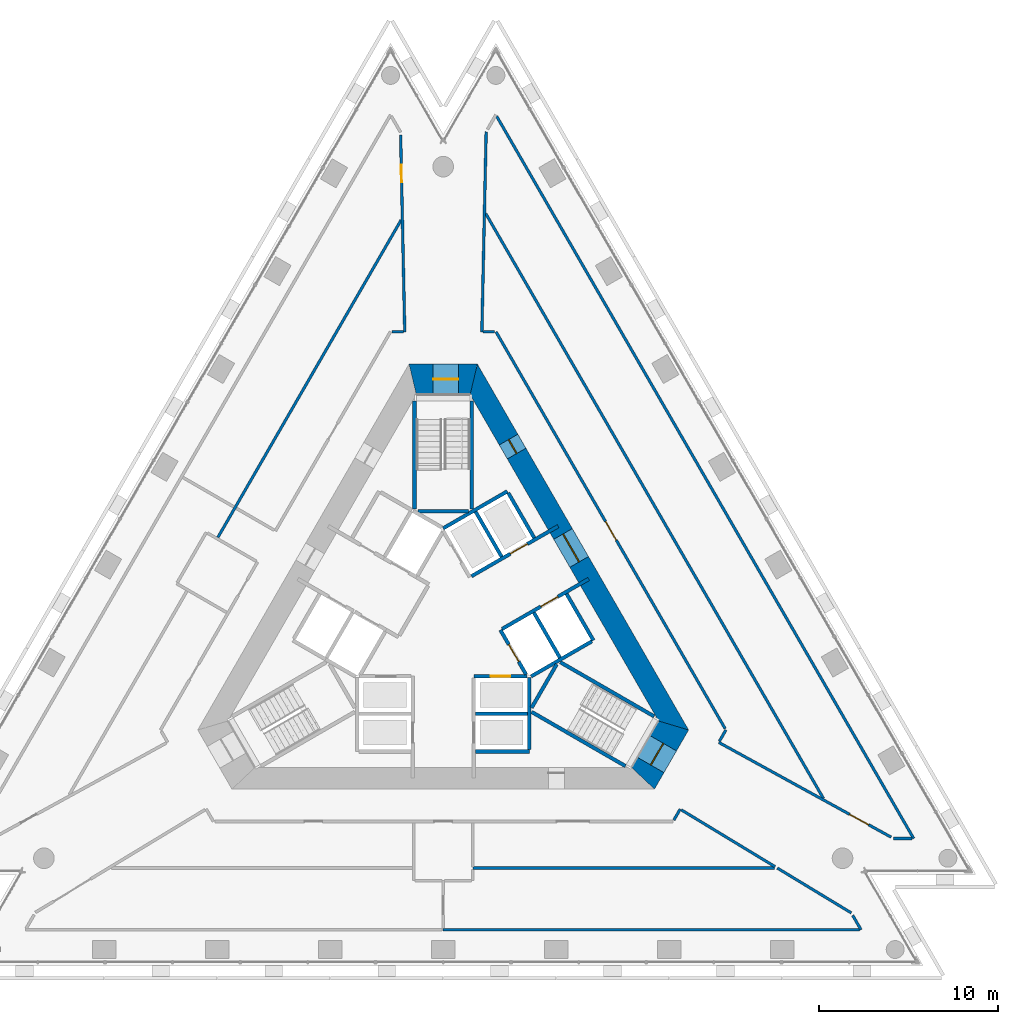
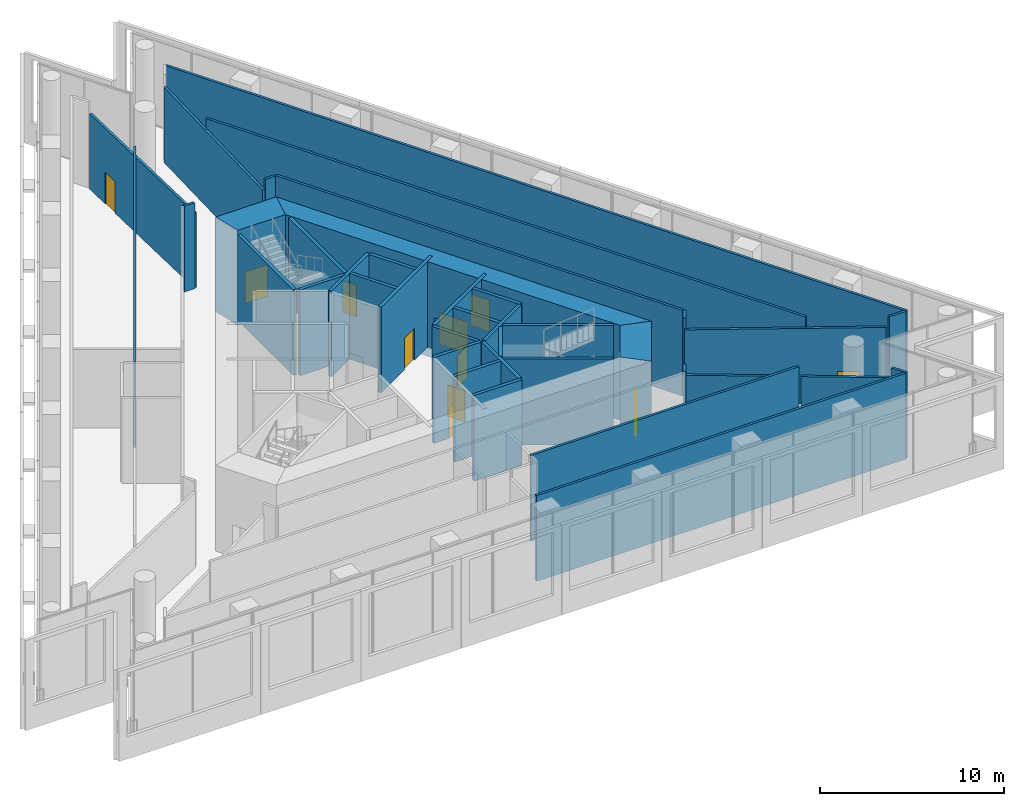
# One storey, part 12 of 18: 39 walls, 11 doors, 11 openings.
"""IFC4 building model written with IfcOpenShell, lengths in metres."""

from ifc_helpers import new_model, si_unit, direction, frame, frame_2d, origin, place, context, subcontext, project, spatial, polyline, rectangle, outline, extrude, material, layer, layer_set, type_object, element, fill, save


model = new_model("IFC4")

# Units and contexts
model_context = context("Model", 3, precision=1e-05, world=origin(), true_north=direction((0.0, 1.0)))
body_context = subcontext(model_context, "Body", "Model", "MODEL_VIEW")
ifc_project = project(units=[si_unit("LENGTHUNIT", "METRE"), si_unit("AREAUNIT", "SQUARE_METRE"), si_unit("VOLUMEUNIT", "CUBIC_METRE"), si_unit("PLANEANGLEUNIT", "RADIAN"), si_unit("MASSUNIT", "GRAM", prefix="KILO")], contexts=[model_context])

# Site, building, storey
site_placement = place(None, origin())
site = spatial("IfcSite", under=ifc_project, at=site_placement, CompositionType="ELEMENT")
building_placement = place(site_placement, origin())
building = spatial("IfcBuilding", under=site, at=building_placement, Name="Triada Interchange Tower", CompositionType="ELEMENT")
storey_placement = place(building_placement, frame((0.0, 0.0, 185.300048828125)))
storey = spatial("IfcBuildingStorey", under=building, at=storey_placement, Name="L43", CompositionType="ELEMENT", Elevation=185.300048828125)

# Walls
ifc_material_1 = material(Name="Concrete C30/37", Category="concrete")
ifc_layer_1 = layer(ifc_material_1, 0.199951171875)
ifc_layer_set_1 = layer_set([ifc_layer_1], Name="CORE WALL 200 EI 120")
wall_type_1 = type_object("IfcWallType", Name="CORE WALL 200 EI 120", PredefinedType="SOLIDWALL", material=ifc_layer_set_1)
wall_1_placement = place(storey_placement, frame((1.800048828125, -4.800048828125, 0.0), z_axis=(0.0, 0.0, 1.0), x_axis=(1.0, 0.0, 0.0)))
element("IfcWall", 1, at=wall_1_placement, inside=storey, type_object=wall_type_1, Name="Wall L43 47", PredefinedType="SOLIDWALL", context=body_context, shape_type="SweptSolid", body=[
    extrude(rectangle(XDim=2.89990234375, YDim=0.199951171875, at=frame_2d((1.449951171875, 0.0))), origin(), (0.0, 0.0, 1.0), 5.699951171875),
])
wall_2_placement = place(storey_placement, frame((1.800048828125, -6.89990234375, 0.0), z_axis=(0.0, 0.0, 1.0), x_axis=(1.0, 0.0, 0.0)))
element("IfcWall", 2, at=wall_2_placement, inside=storey, type_object=wall_type_1, Name="Wall L43 50", PredefinedType="SOLIDWALL", context=body_context, shape_type="SweptSolid", body=[
    extrude(rectangle(XDim=3.0, YDim=0.199951171875, at=frame_2d((1.5, 0.0))), origin(), (0.0, 0.0, 1.0), 5.699951171875),
])

# Wall, opening, door
wall_3_placement = place(storey_placement, frame((1.702880859375, -2.699951171875, 0.0), z_axis=(0.0, 0.0, 1.0), x_axis=(1.0, 0.0, 0.0)))
wall_3 = element("IfcWall", 3, at=wall_3_placement, inside=storey, type_object=wall_type_1, Name="Wall L43 53", PredefinedType="SOLIDWALL", context=body_context, shape_type="SweptSolid", body=[
    extrude(rectangle(XDim=2.97314453125, YDim=0.199951171875, at=frame_2d((1.486572265625, 0.0))), origin(), (0.0, 0.0, 1.0), 5.699951171875),
])
opening_1_placement = place(wall_3_placement, frame((0.93603515625, 0.0, 0.0)))
opening_1 = element("IfcOpeningElement", 4, at=opening_1_placement, cuts=wall_3, Name="Opening LD-HR1", PredefinedType="OPENING", context=body_context, shape_type="SweptSolid", body=[
    extrude(rectangle(XDim=1.10009765625, YDim=2.10009765625, at=frame_2d((0.550048828125, 1.050048828125))), frame((0.0, 0.10986328125, 0.0), z_axis=(0.0, -1.0, 0.0), x_axis=(1.0, 0.0, 0.0)), (0.0, 0.0, 1.0), 0.219970703125),
])
ifc_material_2 = material(Name="Steel S235 door leaf", Category="steel")
door_type_1 = type_object("IfcDoorType", Name="LIFT LANDING DOOR 1100 EI 120", OperationType="SLIDING_TO_LEFT", PredefinedType="DOOR", material=ifc_material_2)
door_1_placement = place(opening_1_placement, origin())
door_1 = element("IfcDoor", 5, at=door_1_placement, inside=storey, type_object=door_type_1, Name="HR1 landing door L43", OperationType="SLIDING_TO_LEFT", OverallHeight=2.10009765625, OverallWidth=1.10009765625, PredefinedType="DOOR", context=body_context, shape_type="SweptSolid", body=[
    extrude(rectangle(XDim=1.10009765625, YDim=2.10009765625, at=frame_2d((0.550048828125, 1.050048828125))), frame((0.0, 0.02490234375, 0.0), z_axis=(0.0, -1.0, 0.0), x_axis=(1.0, 0.0, 0.0)), (0.0, 0.0, 1.0), 0.050048828125),
])
fill(opening_1, door_1)

# Wall
wall_4_placement = place(storey_placement, frame((-0.001953125, 5.541015625, 0.0), z_axis=(0.0, 0.0, 1.0), x_axis=(0.86600155993, 0.500041296494, 0.0)))
element("IfcWall", 6, at=wall_4_placement, inside=storey, type_object=wall_type_1, Name="Wall L43 54", PredefinedType="SOLIDWALL", context=body_context, shape_type="SweptSolid", body=[
    extrude(rectangle(XDim=4.131591796875, YDim=0.199951171875, at=frame_2d((2.06591796875, 0.0))), origin(), (0.0, 0.0, 1.0), 5.699951171875),
])

# Wall, opening, door
wall_5_placement = place(storey_placement, frame((3.18994140625, -0.125, 0.0), z_axis=(0.0, 0.0, 1.0), x_axis=(0.499988658015, -0.866031951983, 0.0)))
wall_5 = element("IfcWall", 7, at=wall_5_placement, inside=storey, type_object=wall_type_1, Name="Wall L43 56", PredefinedType="SOLIDWALL", context=body_context, shape_type="SweptSolid", body=[
    extrude(rectangle(XDim=2.85791015625, YDim=0.199951171875, at=frame_2d((1.428955078125, 0.0))), origin(), (0.0, 0.0, 1.0), 5.699951171875),
])
opening_2_placement = place(wall_5_placement, frame((0.93603515625, 0.0, 0.0)))
opening_2 = element("IfcOpeningElement", 8, at=opening_2_placement, cuts=wall_5, Name="Opening LD-SH1", PredefinedType="OPENING", context=body_context, shape_type="SweptSolid", body=[
    extrude(rectangle(XDim=1.10009765625, YDim=2.10009765625, at=frame_2d((0.550048828125, 1.050048828125))), frame((0.0, 0.10986328125, 0.0), z_axis=(0.0, -1.0, 0.0), x_axis=(1.0, 0.0, 0.0)), (0.0, 0.0, 1.0), 0.219970703125),
])
door_2_placement = place(opening_2_placement, origin())
door_2 = element("IfcDoor", 9, at=door_2_placement, inside=storey, type_object=door_type_1, Name="SH1 landing door L43", OperationType="SLIDING_TO_LEFT", OverallHeight=2.10009765625, OverallWidth=1.10009765625, PredefinedType="DOOR", context=body_context, shape_type="SweptSolid", body=[
    extrude(rectangle(XDim=1.10009765625, YDim=2.10009765625, at=frame_2d((0.550048828125, 1.050048828125))), frame((0.0, 0.02490234375, 0.0), z_axis=(0.0, -1.0, 0.0), x_axis=(1.0, 0.0, 0.0)), (0.0, 0.0, 1.0), 0.050048828125),
])
fill(opening_2, door_2)

wall_6_placement = place(storey_placement, frame((1.576904296875, 2.8740234375, 0.0), z_axis=(0.0, 0.0, 1.0), x_axis=(0.866068955414, 0.499924558776, 0.0)))
wall_6 = element("IfcWall", 10, at=wall_6_placement, inside=storey, type_object=wall_type_1, Name="Wall L43 57", PredefinedType="SOLIDWALL", context=body_context, shape_type="SweptSolid", body=[
    extrude(rectangle(XDim=5.576904296875, YDim=0.199951171875, at=frame_2d((2.78857421875, 0.0))), origin(), (0.0, 0.0, 1.0), 5.699951171875),
])
opening_3_placement = place(wall_6_placement, frame((2.4970703125, 0.0, 0.0)))
opening_3 = element("IfcOpeningElement", 11, at=opening_3_placement, cuts=wall_6, Name="Opening LD-HR6", PredefinedType="OPENING", context=body_context, shape_type="SweptSolid", body=[
    extrude(rectangle(XDim=1.10009765625, YDim=2.10009765625, at=frame_2d((0.550048828125, 1.050048828125))), frame((0.0, 0.10986328125, 0.0), z_axis=(0.0, -1.0, 0.0), x_axis=(1.0, 0.0, 0.0)), (0.0, 0.0, 1.0), 0.219970703125),
])
door_3_placement = place(opening_3_placement, origin())
door_3 = element("IfcDoor", 12, at=door_3_placement, inside=storey, type_object=door_type_1, Name="HR6 landing door L43", OperationType="SLIDING_TO_LEFT", OverallHeight=2.10009765625, OverallWidth=1.10009765625, PredefinedType="DOOR", context=body_context, shape_type="SweptSolid", body=[
    extrude(rectangle(XDim=1.10009765625, YDim=2.10009765625, at=frame_2d((0.550048828125, 1.050048828125))), frame((0.0, 0.02490234375, 0.0), z_axis=(0.0, -1.0, 0.0), x_axis=(1.0, 0.0, 0.0)), (0.0, 0.0, 1.0), 0.050048828125),
])
fill(opening_3, door_3)

# Wall
wall_7_placement = place(storey_placement, frame((4.800048828125, -6.800048828125, 0.0), z_axis=(0.0, 0.0, 1.0), x_axis=(0.0, 1.0, 0.0)))
element("IfcWall", 13, at=wall_7_placement, inside=storey, type_object=wall_type_1, Name="Wall L43 59", PredefinedType="SOLIDWALL", context=body_context, shape_type="SweptSolid", body=[
    extrude(rectangle(XDim=4.029052734375, YDim=0.199951171875, at=frame_2d((2.0146484375, 0.0))), origin(), (0.0, 0.0, 1.0), 5.699951171875),
])

# Wall, opening, door
wall_8_placement = place(storey_placement, frame((3.278076171875, -0.071044921875, 0.0), z_axis=(0.0, 0.0, 1.0), x_axis=(0.865938393773, 0.500150675487, 0.0)))
wall_8 = element("IfcWall", 14, at=wall_8_placement, inside=storey, type_object=wall_type_1, Name="Wall L43 60", PredefinedType="SOLIDWALL", context=body_context, shape_type="SweptSolid", body=[
    extrude(rectangle(XDim=5.576416015625, YDim=0.199951171875, at=frame_2d((2.7880859375, 0.0))), origin(), (0.0, 0.0, 1.0), 5.699951171875),
])
opening_4_placement = place(wall_8_placement, frame((2.4970703125, 0.0, 0.0)))
opening_4 = element("IfcOpeningElement", 15, at=opening_4_placement, cuts=wall_8, Name="Opening LD-SH2", PredefinedType="OPENING", context=body_context, shape_type="SweptSolid", body=[
    extrude(rectangle(XDim=1.10009765625, YDim=2.10009765625, at=frame_2d((0.550048828125, 1.050048828125))), frame((0.0, 0.10986328125, 0.0), z_axis=(0.0, -1.0, 0.0), x_axis=(1.0, 0.0, 0.0)), (0.0, 0.0, 1.0), 0.219970703125),
])
door_4_placement = place(opening_4_placement, origin())
door_4 = element("IfcDoor", 16, at=door_4_placement, inside=storey, type_object=door_type_1, Name="SH2 landing door L43", OperationType="SLIDING_TO_LEFT", OverallHeight=2.10009765625, OverallWidth=1.10009765625, PredefinedType="DOOR", context=body_context, shape_type="SweptSolid", body=[
    extrude(rectangle(XDim=1.10009765625, YDim=2.10009765625, at=frame_2d((0.550048828125, 1.050048828125))), frame((0.0, 0.02490234375, 0.0), z_axis=(0.0, -1.0, 0.0), x_axis=(1.0, 0.0, 0.0)), (0.0, 0.0, 1.0), 0.050048828125),
])
fill(opening_4, door_4)

# Walls
wall_9_placement = place(storey_placement, frame((3.6259765625, 7.52001953125, 0.0), z_axis=(0.0, 0.0, 1.0), x_axis=(0.500060147554, -0.865990674793, 0.0)))
element("IfcWall", 17, at=wall_9_placement, inside=storey, type_object=wall_type_1, Name="Wall L43 61", PredefinedType="SOLIDWALL", context=body_context, shape_type="SweptSolid", body=[
    extrude(rectangle(XDim=2.899658203125, YDim=0.199951171875, at=frame_2d((1.44970703125, 0.0))), origin(), (0.0, 0.0, 1.0), 5.699951171875),
])
wall_10_placement = place(storey_placement, frame((6.8759765625, 1.89111328125, 0.0), z_axis=(0.0, 0.0, 1.0), x_axis=(0.499990139034, -0.866031096941, 0.0)))
element("IfcWall", 18, at=wall_10_placement, inside=storey, type_object=wall_type_1, Name="Wall L43 62", PredefinedType="SOLIDWALL", context=body_context, shape_type="SweptSolid", body=[
    extrude(rectangle(XDim=3.0, YDim=0.199951171875, at=frame_2d((1.5, 0.0))), origin(), (0.0, 0.0, 1.0), 5.699951171875),
])
for number, where, z_axis, x_axis, name in (
    (19, (1.806884765625, 6.469970703125, 0.0), (0.0, 0.0, 1.0), (0.50012328804, -0.865954211699, 0.0), "Wall L43 63"),
    (20, (5.056884765625, 0.841064453125, 0.0), (0.0, 0.0, 1.0), (0.50012328804, -0.865954211699, 0.0), "Wall L43 64"),
):
    element("IfcWall", number, at=place(storey_placement, frame(where, z_axis=z_axis, x_axis=x_axis)), inside=storey, type_object=wall_type_1, Name=name, PredefinedType="SOLIDWALL", context=body_context, shape_type="SweptSolid", body=[
        extrude(rectangle(XDim=2.899658203125, YDim=0.199951171875, at=frame_2d((1.44970703125, 0.0))), origin(), (0.0, 0.0, 1.0), 5.699951171875),
    ])
wall_11_placement = place(storey_placement, frame((4.89990234375, -2.714111328125, 0.0), z_axis=(0.0, 0.0, 1.0), x_axis=(0.865992350556, 0.500057245502, 0.0)))
element("IfcWall", 21, at=wall_11_placement, inside=storey, type_object=wall_type_1, Name="Wall L43 65", PredefinedType="SOLIDWALL", context=body_context, shape_type="SweptSolid", body=[
    extrude(rectangle(XDim=3.91357421875, YDim=0.199951171875, at=frame_2d((1.956787109375, 0.0))), origin(), (0.0, 0.0, 1.0), 5.699951171875),
])
ifc_layer_2 = layer(ifc_material_1, 0.199951171875)
ifc_layer_set_2 = layer_set([ifc_layer_2], Name="CORE WALL 200 REI 240")
wall_type_2 = type_object("IfcWallType", Name="CORE WALL 200 REI 240", PredefinedType="SOLIDWALL", material=ifc_layer_set_2)
wall_12_placement = place(storey_placement, frame((1.60009765625, 6.614990234375, 0.0), z_axis=(0.0, 0.0, 1.0), x_axis=(0.0, 1.0, 0.0)))
element("IfcWall", 22, at=wall_12_placement, inside=storey, type_object=wall_type_2, Name="Wall L43 84", PredefinedType="SOLIDWALL", context=body_context, shape_type="SweptSolid", body=[
    extrude(rectangle(XDim=6.0400390625, YDim=0.199951171875, at=frame_2d((3.02001953125, 0.0))), origin(), (0.0, 0.0, 1.0), 5.699951171875),
])
wall_13_placement = place(storey_placement, frame((-1.39990234375, 6.5, 0.0), z_axis=(0.0, 0.0, 1.0), x_axis=(1.0, 0.0, 0.0)))
element("IfcWall", 23, at=wall_13_placement, inside=storey, type_object=wall_type_2, Name="Wall L43 85", PredefinedType="SOLIDWALL", context=body_context, shape_type="SweptSolid", body=[
    extrude(rectangle(XDim=2.7998046875, YDim=0.199951171875, at=frame_2d((1.39990234375, 0.0))), origin(), (0.0, 0.0, 1.0), 5.699951171875),
])
for number, where, z_axis, x_axis, name in (
    (24, (-1.60009765625, 6.614990234375, 0.0), (0.0, 0.0, 1.0), (0.0, 1.0, 0.0), "Wall L43 86"),
    (25, (4.928955078125, -4.693115234375, 0.0), (0.0, 0.0, 1.0), (0.866048276411, -0.499960381356, 0.0), "Wall L43 87"),
):
    element("IfcWall", number, at=place(storey_placement, frame(where, z_axis=z_axis, x_axis=x_axis)), inside=storey, type_object=wall_type_2, Name=name, PredefinedType="SOLIDWALL", context=body_context, shape_type="SweptSolid", body=[
        extrude(rectangle(XDim=6.0400390625, YDim=0.199951171875, at=frame_2d((3.02001953125, 0.0))), origin(), (0.0, 0.0, 1.0), 5.699951171875),
    ])
wall_14_placement = place(storey_placement, frame((4.928955078125, -4.4619140625, 0.0), z_axis=(0.0, 0.0, 1.0), x_axis=(0.500200581029, 0.865909567298, 0.0)))
element("IfcWall", 26, at=wall_14_placement, inside=storey, type_object=wall_type_2, Name="Wall L43 88", PredefinedType="SOLIDWALL", context=body_context, shape_type="SweptSolid", body=[
    extrude(rectangle(XDim=2.799072265625, YDim=0.199951171875, at=frame_2d((1.3994140625, 0.0))), origin(), (0.0, 0.0, 1.0), 5.699951171875),
])
wall_15_placement = place(storey_placement, frame((6.529052734375, -1.922119140625, 0.0), z_axis=(0.0, 0.0, 1.0), x_axis=(0.866048276411, -0.499960381356, 0.0)))
element("IfcWall", 27, at=wall_15_placement, inside=storey, type_object=wall_type_2, Name="Wall L43 89", PredefinedType="SOLIDWALL", context=body_context, shape_type="SweptSolid", body=[
    extrude(rectangle(XDim=6.0400390625, YDim=0.199951171875, at=frame_2d((3.02001953125, 0.0))), origin(), (0.0, 0.0, 1.0), 5.699951171875),
])

# Wall, openings, doors
ifc_material_3 = material(Name="Concrete C60/75", Category="concrete")
ifc_layer_3 = layer(ifc_material_3, 1.199951171875)
ifc_layer_set_3 = layer_set([ifc_layer_3], Name="Core wall B 1200")
wall_type_3 = type_object("IfcWallType", Name="Core wall B 1200", PredefinedType="SHEAR", material=ifc_layer_set_3)
wall_16_placement = place(storey_placement, frame((12.845947265625, -5.449951171875, -0.60009765625), z_axis=(0.0, 0.0, 1.0), x_axis=(-0.500005991004, 0.866021944849, 0.0)))
wall_16 = element("IfcWall", 28, at=wall_16_placement, inside=storey, type_object=wall_type_3, Name="Core wall WB12 L43", PredefinedType="SHEAR", context=body_context, shape_type="SweptSolid", body=[
    extrude(outline(polyline([(-0.635009765625, -0.60009765625), (1.327880859375, -0.60009765625), (3.291015625, -0.60009765625), (5.25390625, -0.60009765625), (7.217041015625, -0.60009765625), (9.179931640625, -0.60009765625), (11.14306640625, -0.60009765625), (13.10595703125, -0.60009765625), (15.06884765625, -0.60009765625), (17.031982421875, -0.60009765625), (18.994873046875, -0.60009765625), (20.9580078125, -0.60009765625), (22.9208984375, -0.60009765625), (21.65087890625, 0.60009765625), (19.740234375, 0.60009765625), (17.829833984375, 0.60009765625), (15.919189453125, 0.60009765625), (14.0087890625, 0.60009765625), (12.09814453125, 0.60009765625), (10.187744140625, 0.60009765625), (8.277099609375, 0.60009765625), (6.36669921875, 0.60009765625), (4.4560546875, 0.60009765625), (2.545654296875, 0.60009765625), (0.635009765625, 0.60009765625), (-0.635009765625, -0.60009765625)])), origin(), (0.0, 0.0, 1.0), 6.300048828125),
])
opening_5_placement = place(wall_16_placement, frame((10.531005859375, 0.0, 0.60009765625)))
opening_5 = element("IfcOpeningElement", 29, at=opening_5_placement, cuts=wall_16, Name="Opening D43-25", PredefinedType="OPENING", context=body_context, shape_type="SweptSolid", body=[
    extrude(rectangle(XDim=1.800048828125, YDim=2.10009765625, at=frame_2d((0.89990234375, 1.050048828125))), frame((0.0, 0.610107421875, 0.0), z_axis=(0.0, -1.0, 0.0), x_axis=(1.0, 0.0, 0.0)), (0.0, 0.0, 1.0), 1.22021484375),
])
opening_6_placement = place(wall_16_placement, frame((17.506103515625, 0.0, 0.60009765625)))
opening_6 = element("IfcOpeningElement", 30, at=opening_6_placement, cuts=wall_16, Name="Opening D43-32", PredefinedType="OPENING", context=body_context, shape_type="SweptSolid", body=[
    extrude(rectangle(XDim=0.89990234375, YDim=2.10009765625, at=frame_2d((0.449951171875, 1.050048828125))), frame((0.0, 0.610107421875, 0.0), z_axis=(0.0, -1.0, 0.0), x_axis=(1.0, 0.0, 0.0)), (0.0, 0.0, 1.0), 1.22021484375),
])
door_type_2 = type_object("IfcDoorType", Name="LOBBY DOOR 1800 EI2 90-C5S200", OperationType="DOUBLE_DOOR_SINGLE_SWING", PredefinedType="DOOR", material=ifc_material_2)
door_5_placement = place(opening_5_placement, origin())
door_5 = element("IfcDoor", 31, at=door_5_placement, inside=storey, type_object=door_type_2, Name="Door D43-25 L43", OperationType="DOUBLE_DOOR_SINGLE_SWING", OverallHeight=2.10009765625, OverallWidth=1.800048828125, PredefinedType="DOOR", context=body_context, shape_type="SweptSolid", body=[
    extrude(rectangle(XDim=1.800048828125, YDim=2.10009765625, at=frame_2d((0.89990234375, 1.050048828125))), frame((0.0, 0.02490234375, 0.0), z_axis=(0.0, -1.0, 0.0), x_axis=(1.0, 0.0, 0.0)), (0.0, 0.0, 1.0), 0.050048828125),
])
fill(opening_5, door_5)
door_type_3 = type_object("IfcDoorType", Name="RISER ACCESS DOOR 900 EI2 45-C5S200", OperationType="NOTDEFINED", PredefinedType="DOOR", material=ifc_material_2)
door_6_placement = place(opening_6_placement, origin())
door_6 = element("IfcDoor", 32, at=door_6_placement, inside=storey, type_object=door_type_3, Name="Door D43-32 L43", OperationType="SINGLE_SWING_LEFT", OverallHeight=2.10009765625, OverallWidth=0.89990234375, PredefinedType="DOOR", context=body_context, shape_type="SweptSolid", body=[
    extrude(rectangle(XDim=0.89990234375, YDim=2.10009765625, at=frame_2d((0.449951171875, 1.050048828125))), frame((0.0, 0.02490234375, 0.0), z_axis=(0.0, -1.0, 0.0), x_axis=(1.0, 0.0, 0.0)), (0.0, 0.0, 1.0), 0.050048828125),
])
fill(opening_6, door_6)

# Wall, opening, door
ifc_layer_4 = layer(ifc_material_3, 1.699951171875)
ifc_layer_set_4 = layer_set([ifc_layer_4], Name="Core wall B 1700")
wall_type_4 = type_object("IfcWallType", Name="Core wall B 1700", PredefinedType="SHEAR", material=ifc_layer_set_4)
wall_17_placement = place(storey_placement, frame((1.702880859375, 13.85009765625, -0.60009765625), z_axis=(0.0, 0.0, 1.0), x_axis=(-1.0, 0.0, 0.0)))
wall_17 = element("IfcWall", 33, at=wall_17_placement, inside=storey, type_object=wall_type_4, Name="Core wall WB07 L43", PredefinedType="SHEAR", context=body_context, shape_type="SweptSolid", body=[
    extrude(outline(polyline([(-0.201904296875, -0.85009765625), (1.703125, -0.85009765625), (3.60791015625, -0.85009765625), (3.2041015625, 0.85009765625), (1.703125, 0.85009765625), (0.201904296875, 0.85009765625), (-0.201904296875, -0.85009765625)])), origin(), (0.0, 0.0, 1.0), 6.300048828125),
])
opening_7_placement = place(wall_17_placement, frame((0.85888671875, 0.0, 0.60009765625)))
opening_7 = element("IfcOpeningElement", 34, at=opening_7_placement, cuts=wall_17, Name="Opening D43-26", PredefinedType="OPENING", context=body_context, shape_type="SweptSolid", body=[
    extrude(rectangle(XDim=1.39990234375, YDim=2.10009765625, at=frame_2d((0.699951171875, 1.050048828125))), frame((0.0, 0.860107421875, 0.0), z_axis=(0.0, -1.0, 0.0), x_axis=(1.0, 0.0, 0.0)), (0.0, 0.0, 1.0), 1.72021484375),
])
door_type_4 = type_object("IfcDoorType", Name="STAIR DOOR 1400 EI2 90-C5S200", OperationType="DOUBLE_DOOR_SINGLE_SWING", PredefinedType="DOOR", material=ifc_material_2)
door_7_placement = place(opening_7_placement, origin())
door_7 = element("IfcDoor", 35, at=door_7_placement, inside=storey, type_object=door_type_4, Name="Door D43-26 L43", OperationType="DOUBLE_DOOR_SINGLE_SWING", OverallHeight=2.10009765625, OverallWidth=1.39990234375, PredefinedType="DOOR", context=body_context, shape_type="SweptSolid", body=[
    extrude(rectangle(XDim=1.39990234375, YDim=2.10009765625, at=frame_2d((0.699951171875, 1.050048828125))), frame((0.0, 0.02490234375, 0.0), z_axis=(0.0, -1.0, 0.0), x_axis=(1.0, 0.0, 0.0)), (0.0, 0.0, 1.0), 0.050048828125),
])
fill(opening_7, door_7)

wall_18_placement = place(storey_placement, frame((11.14306640625, -8.39990234375, -0.60009765625), z_axis=(0.0, 0.0, 1.0), x_axis=(0.499939613464, 0.86606026516, 0.0)))
wall_18 = element("IfcWall", 36, at=wall_18_placement, inside=storey, type_object=wall_type_4, Name="Core wall WB11 L43", PredefinedType="SHEAR", context=body_context, shape_type="SweptSolid", body=[
    extrude(outline(polyline([(-0.201904296875, -0.85009765625), (1.703125, -0.85009765625), (3.60791015625, -0.85009765625), (3.2041015625, 0.85009765625), (1.703125, 0.85009765625), (0.201904296875, 0.85009765625), (-0.201904296875, -0.85009765625)])), origin(), (0.0, 0.0, 1.0), 6.300048828125),
])
opening_8_placement = place(wall_18_placement, frame((0.85888671875, 0.0, 0.60009765625)))
opening_8 = element("IfcOpeningElement", 37, at=opening_8_placement, cuts=wall_18, Name="Opening D43-28", PredefinedType="OPENING", context=body_context, shape_type="SweptSolid", body=[
    extrude(rectangle(XDim=1.39990234375, YDim=2.10009765625, at=frame_2d((0.699951171875, 1.050048828125))), frame((0.0, 0.860107421875, 0.0), z_axis=(0.0, -1.0, 0.0), x_axis=(1.0, 0.0, 0.0)), (0.0, 0.0, 1.0), 1.72021484375),
])
door_8_placement = place(opening_8_placement, origin())
door_8 = element("IfcDoor", 38, at=door_8_placement, inside=storey, type_object=door_type_4, Name="Door D43-28 L43", OperationType="DOUBLE_DOOR_SINGLE_SWING", OverallHeight=2.10009765625, OverallWidth=1.39990234375, PredefinedType="DOOR", context=body_context, shape_type="SweptSolid", body=[
    extrude(rectangle(XDim=1.39990234375, YDim=2.10009765625, at=frame_2d((0.699951171875, 1.050048828125))), frame((0.0, 0.02490234375, 0.0), z_axis=(0.0, -1.0, 0.0), x_axis=(1.0, 0.0, 0.0)), (0.0, 0.0, 1.0), 0.050048828125),
])
fill(opening_8, door_8)

# Walls
ifc_material_4 = material(Name="Gypsum board partition")
ifc_layer_5 = layer(ifc_material_4, 0.14990234375)
ifc_layer_set_5 = layer_set([ifc_layer_5], Name="PARTITION 150 EI 180")
wall_type_5 = type_object("IfcWallType", Name="PARTITION 150 EI 180", PredefinedType="PARTITIONING", material=ifc_layer_set_5)
wall_19_placement = place(storey_placement, frame((18.62890625, -13.39990234375, 0.0), z_axis=(0.0, 0.0, 1.0), x_axis=(0.855143428813, -0.518391469989, 0.0)))
element("IfcWall", 39, at=wall_19_placement, inside=storey, type_object=wall_type_5, Name="Wall L43 1", PredefinedType="PARTITIONING", context=body_context, shape_type="SweptSolid", body=[
    extrude(rectangle(XDim=4.822509765625, YDim=0.14990234375, at=frame_2d((2.4111328125, 0.0))), origin(), (0.0, 0.0, 1.0), 5.0),
])
wall_20_placement = place(storey_placement, frame((22.8310546875, -16.034912109375, 0.0), z_axis=(0.0, 0.0, 1.0), x_axis=(0.499525600878, -0.866299125053, 0.0)))
element("IfcWall", 40, at=wall_20_placement, inside=storey, type_object=wall_type_5, Name="Wall L43 2", PredefinedType="PARTITIONING", context=body_context, shape_type="SweptSolid", body=[
    extrude(rectangle(XDim=0.9306640625, YDim=0.14990234375, at=frame_2d((0.46533203125, 0.0))), origin(), (0.0, 0.0, 1.0), 5.699951171875),
])
wall_21_placement = place(storey_placement, frame((0.0, -16.841064453125, 0.0), z_axis=(0.0, 0.0, 1.0), x_axis=(1.0, 0.0, 0.0)))
element("IfcWall", 41, at=wall_21_placement, inside=storey, type_object=wall_type_5, Name="Wall L43 3", PredefinedType="PARTITIONING", context=body_context, shape_type="SweptSolid", body=[
    extrude(rectangle(XDim=23.208984375, YDim=0.14990234375, at=frame_2d((11.6044921875, 0.0))), origin(), (0.0, 0.0, 1.0), 5.699951171875),
])
wall_22_placement = place(storey_placement, frame((1.64990234375, -13.39990234375, 0.0), z_axis=(0.0, 0.0, 1.0), x_axis=(1.0, 0.0, 0.0)))
element("IfcWall", 42, at=wall_22_placement, inside=storey, type_object=wall_type_5, Name="Wall L43 5", PredefinedType="PARTITIONING", context=body_context, shape_type="SweptSolid", body=[
    extrude(rectangle(XDim=16.833984375, YDim=0.14990234375, at=frame_2d((8.4169921875, 0.0))), origin(), (0.0, 0.0, 1.0), 5.699951171875),
])
wall_23_placement = place(storey_placement, frame((2.155029296875, 16.5, 0.0), z_axis=(0.0, 0.0, 1.0), x_axis=(0.021421622411, 0.999770530719, 0.0)))
element("IfcWall", 43, at=wall_23_placement, inside=storey, type_object=wall_type_5, Name="Wall L43 8", PredefinedType="PARTITIONING", context=body_context, shape_type="SweptSolid", body=[
    extrude(rectangle(XDim=11.157470703125, YDim=0.14990234375, at=frame_2d((5.57861328125, 0.0))), origin(), (0.0, 0.0, 1.0), 5.0),
])
wall_24_placement = place(storey_placement, frame((2.97998046875, 28.52001953125, 0.0), z_axis=(0.0, 0.0, 1.0), x_axis=(0.500012382508, -0.866018254622, 0.0)))
element("IfcWall", 44, at=wall_24_placement, inside=storey, type_object=wall_type_5, Name="Wall L43 10", PredefinedType="PARTITIONING", context=body_context, shape_type="SweptSolid", body=[
    extrude(rectangle(XDim=46.504638671875, YDim=0.14990234375, at=frame_2d((23.25244140625, 0.0))), origin(), (0.0, 0.0, 1.0), 5.699951171875),
])
wall_25_placement = place(storey_placement, frame((25.114990234375, -11.75390625, 0.0), z_axis=(0.0, 0.0, 1.0), x_axis=(1.0, 0.0, 0.0)))
element("IfcWall", 45, at=wall_25_placement, inside=storey, type_object=wall_type_5, Name="Wall L43 11", PredefinedType="PARTITIONING", context=body_context, shape_type="SweptSolid", body=[
    extrude(rectangle(XDim=1.031005859375, YDim=0.14990234375, at=frame_2d((0.515625, 0.0))), origin(), (0.0, 0.0, 1.0), 5.699951171875),
])

# Wall, opening, door
wall_26_placement = place(storey_placement, frame((15.362060546875, -6.39208984375, 0.0), z_axis=(0.0, 0.0, 1.0), x_axis=(0.876310300544, -0.481747088378, 0.0)))
wall_26 = element("IfcWall", 46, at=wall_26_placement, inside=storey, type_object=wall_type_5, Name="Wall L43 12", PredefinedType="PARTITIONING", context=body_context, shape_type="SweptSolid", body=[
    extrude(rectangle(XDim=10.974365234375, YDim=0.14990234375, at=frame_2d((5.4873046875, 0.0))), origin(), (0.0, 0.0, 1.0), 5.0),
])
opening_9_placement = place(wall_26_placement, frame((8.330078125, 0.0, 0.0)))
opening_9 = element("IfcOpeningElement", 47, at=opening_9_placement, cuts=wall_26, Name="Opening D43-16", PredefinedType="OPENING", context=body_context, shape_type="SweptSolid", body=[
    extrude(rectangle(XDim=1.199951171875, YDim=2.10009765625, at=frame_2d((0.60009765625, 1.050048828125))), frame((0.0, 0.0849609375, 0.0), z_axis=(0.0, -1.0, 0.0), x_axis=(1.0, 0.0, 0.0)), (0.0, 0.0, 1.0), 0.169921875),
])
door_type_5 = type_object("IfcDoorType", Name="DOUBLE ROOM DOOR 1200 EI2 45-C5S200", OperationType="DOUBLE_DOOR_SINGLE_SWING", PredefinedType="DOOR", material=ifc_material_2)
door_9_placement = place(opening_9_placement, origin())
door_9 = element("IfcDoor", 48, at=door_9_placement, inside=storey, type_object=door_type_5, Name="Door D43-16 L43", OperationType="DOUBLE_DOOR_SINGLE_SWING", OverallHeight=2.10009765625, OverallWidth=1.199951171875, PredefinedType="DOOR", context=body_context, shape_type="SweptSolid", body=[
    extrude(rectangle(XDim=1.199951171875, YDim=2.10009765625, at=frame_2d((0.60009765625, 1.050048828125))), frame((0.0, 0.02490234375, 0.0), z_axis=(0.0, -1.0, 0.0), x_axis=(1.0, 0.0, 0.0)), (0.0, 0.0, 1.0), 0.050048828125),
])
fill(opening_9, door_9)

# Wall
wall_27_placement = place(storey_placement, frame((15.39990234375, -6.326904296875, 0.0), z_axis=(0.0, 0.0, 1.0), x_axis=(0.500092185955, 0.865972173656, 0.0)))
element("IfcWall", 49, at=wall_27_placement, inside=storey, type_object=wall_type_5, Name="Wall L43 13", PredefinedType="PARTITIONING", context=body_context, shape_type="SweptSolid", body=[
    extrude(rectangle(XDim=0.723876953125, YDim=0.14990234375, at=frame_2d((0.36181640625, 0.0))), origin(), (0.0, 0.0, 1.0), 5.699951171875),
])

# Wall, opening, door
wall_28_placement = place(storey_placement, frame((2.944091796875, 16.5, 0.0), z_axis=(0.0, 0.0, 1.0), x_axis=(0.500001499409, -0.866024538099, 0.0)))
wall_28 = element("IfcWall", 50, at=wall_28_placement, inside=storey, type_object=wall_type_5, Name="Wall L43 14", PredefinedType="PARTITIONING", context=body_context, shape_type="SweptSolid", body=[
    extrude(rectangle(XDim=25.5478515625, YDim=0.14990234375, at=frame_2d((12.77392578125, 0.0))), origin(), (0.0, 0.0, 1.0), 5.699951171875),
])
opening_10_placement = place(wall_28_placement, frame((12.217041015625, 0.0, 0.0)))
opening_10 = element("IfcOpeningElement", 51, at=opening_10_placement, cuts=wall_28, Name="Opening D43-15", PredefinedType="OPENING", context=body_context, shape_type="SweptSolid", body=[
    extrude(rectangle(XDim=1.199951171875, YDim=2.10009765625, at=frame_2d((0.60009765625, 1.050048828125))), frame((0.0, 0.0849609375, 0.0), z_axis=(0.0, -1.0, 0.0), x_axis=(1.0, 0.0, 0.0)), (0.0, 0.0, 1.0), 0.169921875),
])
door_10_placement = place(opening_10_placement, origin())
door_10 = element("IfcDoor", 52, at=door_10_placement, inside=storey, type_object=door_type_5, Name="Door D43-15 L43", OperationType="DOUBLE_DOOR_SINGLE_SWING", OverallHeight=2.10009765625, OverallWidth=1.199951171875, PredefinedType="DOOR", context=body_context, shape_type="SweptSolid", body=[
    extrude(rectangle(XDim=1.199951171875, YDim=2.10009765625, at=frame_2d((0.60009765625, 1.050048828125))), frame((0.0, 0.02490234375, 0.0), z_axis=(0.0, -1.0, 0.0), x_axis=(1.0, 0.0, 0.0)), (0.0, 0.0, 1.0), 0.050048828125),
])
fill(opening_10, door_10)

# Walls
wall_29_placement = place(storey_placement, frame((2.22998046875, 16.5, 0.0), z_axis=(0.0, 0.0, 1.0), x_axis=(1.0, 0.0, 0.0)))
element("IfcWall", 53, at=wall_29_placement, inside=storey, type_object=wall_type_5, Name="Wall L43 15", PredefinedType="PARTITIONING", context=body_context, shape_type="SweptSolid", body=[
    extrude(rectangle(XDim=0.6279296875, YDim=0.14990234375, at=frame_2d((0.31396484375, 0.0))), origin(), (0.0, 0.0, 1.0), 5.699951171875),
])
wall_30_placement = place(storey_placement, frame((2.37109375, 23.093017578125, 0.0), z_axis=(0.0, 0.0, 1.0), x_axis=(0.500006092323, -0.866021886352, 0.0)))
element("IfcWall", 54, at=wall_30_placement, inside=storey, type_object=wall_type_5, Name="Wall L43 16", PredefinedType="PARTITIONING", context=body_context, shape_type="SweptSolid", body=[
    extrude(rectangle(XDim=37.6513671875, YDim=0.14990234375, at=frame_2d((18.82568359375, 0.0))), origin(), (0.0, 0.0, 1.0), 5.699951171875),
])
ifc_layer_6 = layer(ifc_material_4, 0.14990234375)
ifc_layer_set_6 = layer_set([ifc_layer_6], Name="PARTITION 150 EI 90")
wall_type_6 = type_object("IfcWallType", Name="PARTITION 150 EI 90", PredefinedType="PARTITIONING", material=ifc_layer_set_6)
wall_31_placement = place(storey_placement, frame((-12.56689453125, 5.032958984375, 0.0), z_axis=(0.0, 0.0, 1.0), x_axis=(0.499999287049, 0.866025815407, 0.0)))
element("IfcWall", 55, at=wall_31_placement, inside=storey, type_object=wall_type_6, Name="Wall L43 23", PredefinedType="PARTITIONING", context=body_context, shape_type="SweptSolid", body=[
    extrude(rectangle(XDim=20.43359375, YDim=0.14990234375, at=frame_2d((10.216796875, 0.0))), origin(), (0.0, 0.0, 1.0), 5.699951171875),
])

# Wall, opening, door
wall_32_placement = place(storey_placement, frame((-2.375, 27.470947265625, 0.0), z_axis=(0.0, 0.0, 1.0), x_axis=(0.020958076747, -0.999780355388, 0.0)))
wall_32 = element("IfcWall", 56, at=wall_32_placement, inside=storey, type_object=wall_type_6, Name="Wall L43 32", PredefinedType="PARTITIONING", context=body_context, shape_type="SweptSolid", body=[
    extrude(rectangle(XDim=10.973388671875, YDim=0.14990234375, at=frame_2d((5.48681640625, 0.0))), origin(), (0.0, 0.0, 1.0), 5.0),
])
opening_11_placement = place(wall_32_placement, frame((1.64404296875, 0.0, 0.0)))
opening_11 = element("IfcOpeningElement", 57, at=opening_11_placement, cuts=wall_32, Name="Opening D43-23", PredefinedType="OPENING", context=body_context, shape_type="SweptSolid", body=[
    extrude(rectangle(XDim=1.0, YDim=2.10009765625, at=frame_2d((0.5, 1.050048828125))), frame((0.0, 0.0849609375, 0.0), z_axis=(0.0, -1.0, 0.0), x_axis=(1.0, 0.0, 0.0)), (0.0, 0.0, 1.0), 0.169921875),
])
door_type_6 = type_object("IfcDoorType", Name="ROOM DOOR 1000 EI2 90-C5S200", OperationType="NOTDEFINED", PredefinedType="DOOR", material=ifc_material_2)
door_11_placement = place(opening_11_placement, origin())
door_11 = element("IfcDoor", 58, at=door_11_placement, inside=storey, type_object=door_type_6, Name="Door D43-23 L43", OperationType="SINGLE_SWING_LEFT", OverallHeight=2.10009765625, OverallWidth=1.0, PredefinedType="DOOR", context=body_context, shape_type="SweptSolid", body=[
    extrude(rectangle(XDim=1.0, YDim=2.10009765625, at=frame_2d((0.5, 1.050048828125))), frame((0.0, 0.02490234375, 0.0), z_axis=(0.0, -1.0, 0.0), x_axis=(1.0, 0.0, 0.0)), (0.0, 0.0, 1.0), 0.050048828125),
])
fill(opening_11, door_11)

# Walls
wall_33_placement = place(storey_placement, frame((-2.85791015625, 16.5, 0.0), z_axis=(0.0, 0.0, 1.0), x_axis=(1.0, 0.0, 0.0)))
element("IfcWall", 59, at=wall_33_placement, inside=storey, type_object=wall_type_6, Name="Wall L43 38", PredefinedType="PARTITIONING", context=body_context, shape_type="SweptSolid", body=[
    extrude(rectangle(XDim=0.637939453125, YDim=0.14990234375, at=frame_2d((0.31884765625, 0.0))), origin(), (0.0, 0.0, 1.0), 5.699951171875),
])
wall_34_placement = place(storey_placement, frame((12.860107421875, -10.72509765625, 0.0), z_axis=(0.0, 0.0, 1.0), x_axis=(0.500133030451, 0.865948584993, 0.0)))
element("IfcWall", 60, at=wall_34_placement, inside=storey, type_object=wall_type_6, Name="Wall L43 42", PredefinedType="PARTITIONING", context=body_context, shape_type="SweptSolid", body=[
    extrude(rectangle(XDim=0.703369140625, YDim=0.14990234375, at=frame_2d((0.3515625, 0.0))), origin(), (0.0, 0.0, 1.0), 5.699951171875),
])
wall_35_placement = place(storey_placement, frame((13.27587890625, -10.155029296875, 0.0), z_axis=(0.0, 0.0, 1.0), x_axis=(0.855137762332, -0.518400817355, 0.0)))
element("IfcWall", 61, at=wall_35_placement, inside=storey, type_object=wall_type_6, Name="Wall L43 43", PredefinedType="PARTITIONING", context=body_context, shape_type="SweptSolid", body=[
    extrude(rectangle(XDim=6.11474609375, YDim=0.14990234375, at=frame_2d((3.057373046875, 0.0))), origin(), (0.0, 0.0, 1.0), 5.0),
])

save(model, "model.ifc")
